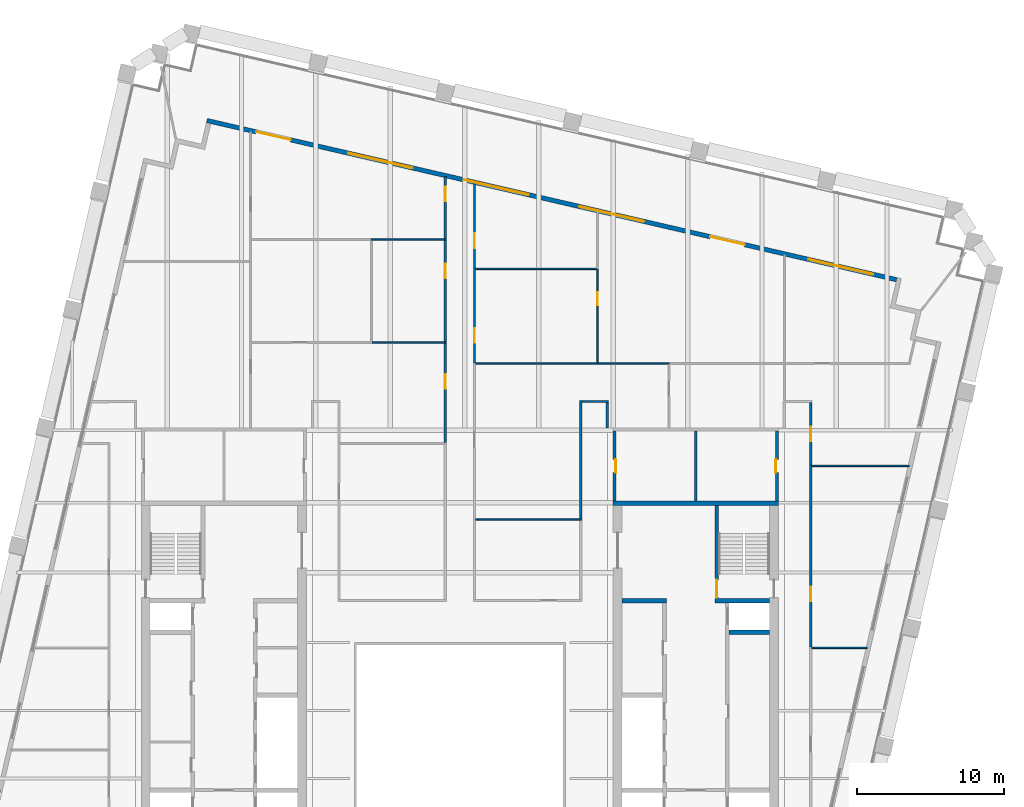
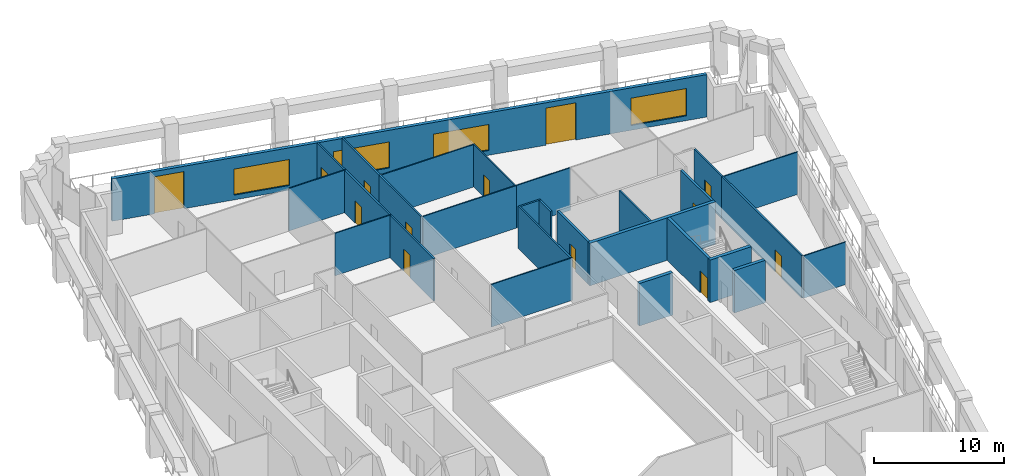
# One storey, part 7 of 10: 28 walls, 13 doors, 4 windows, 17 openings.
"""IFC4 building model written with IfcOpenShell, lengths in metres."""

from ifc_helpers import new_model, si_unit, direction, frame, frame_2d, origin, place, context, subcontext, project, spatial, rectangle, extrude, material, layer, layer_set, type_object, element, fill, save


model = new_model("IFC4")

# Units and contexts
model_context = context("Model", 3, precision=1e-05, world=origin(), true_north=direction((0.0, 1.0)))
body_context = subcontext(model_context, "Body", "Model", "MODEL_VIEW")
ifc_project = project(units=[si_unit("LENGTHUNIT", "METRE"), si_unit("AREAUNIT", "SQUARE_METRE"), si_unit("VOLUMEUNIT", "CUBIC_METRE"), si_unit("PLANEANGLEUNIT", "RADIAN"), si_unit("MASSUNIT", "GRAM", prefix="KILO")], contexts=[model_context])

# Site, building, storey
site_placement = place(None, origin())
site = spatial("IfcSite", under=ifc_project, at=site_placement, CompositionType="ELEMENT")
building_placement = place(site_placement, origin())
building = spatial("IfcBuilding", under=site, at=building_placement, Name="Ogive Exchange Tower", CompositionType="ELEMENT")
storey_placement = place(building_placement, frame((0.0, 0.0, 268.199951171875)))
storey = spatial("IfcBuildingStorey", under=building, at=storey_placement, Name="L58", CompositionType="ELEMENT", Elevation=268.199951171875)

# Walls
ifc_material_1 = material(Name="Gypsum board partition")
ifc_layer_1 = layer(ifc_material_1, 0.14990234375)
ifc_layer_set_1 = layer_set([ifc_layer_1], Name="Core room partition 150 gypsum")
wall_type_1 = type_object("IfcWallType", Name="Core room partition 150 gypsum", PredefinedType="PARTITIONING", material=ifc_layer_set_1)
wall_1_placement = place(storey_placement, frame((16.0, 25.75, 0.0), z_axis=(0.0, 0.0, 1.0), x_axis=(0.0, 1.0, 0.0)))
element("IfcWall", 1, at=wall_1_placement, inside=storey, type_object=wall_type_1, Name="E annex N column wall", PredefinedType="PARTITIONING", context=body_context, shape_type="SweptSolid", body=[
    extrude(rectangle(XDim=4.75, YDim=0.14990234375, at=frame_2d((2.375, 0.0))), origin(), (0.0, 0.0, 1.0), 4.0),
])
ifc_layer_2 = layer(ifc_material_1, 0.300048828125)
ifc_layer_set_2 = layer_set([ifc_layer_2], Name="Core room partition 300 gypsum")
wall_type_2 = type_object("IfcWallType", Name="Core room partition 300 gypsum", PredefinedType="PARTITIONING", material=ifc_layer_set_2)
wall_2_placement = place(storey_placement, frame((11.0, 19.0, 0.0), z_axis=(0.0, 0.0, 1.0), x_axis=(1.0, 0.0, 0.0)))
element("IfcWall", 2, at=wall_2_placement, inside=storey, type_object=wall_type_2, Name="E row B room end wall 7", PredefinedType="PARTITIONING", context=body_context, shape_type="SweptSolid", body=[
    extrude(rectangle(XDim=3.0, YDim=0.300048828125, at=frame_2d((1.5, 0.0))), origin(), (0.0, 0.0, 1.0), 4.0),
])

# Wall, opening, door
ifc_material_2 = material(Name="Fire partition EI 60 150")
ifc_layer_3 = layer(ifc_material_2, 0.14990234375)
ifc_layer_set_3 = layer_set([ifc_layer_3], Name="Fire partition EI 60 150")
wall_type_3 = type_object("IfcWallType", Name="Fire partition EI 60 150", PredefinedType="PARTITIONING", material=ifc_layer_set_3)
wall_3_placement = place(storey_placement, frame((-0.989990234375, 29.7099609375, 0.0), z_axis=(0.0, 0.0, 1.0), x_axis=(0.0, 1.0, 0.0)))
wall_3 = element("IfcWall", 3, at=wall_3_placement, inside=storey, type_object=wall_type_3, Name="L58-PWL-032", PredefinedType="PARTITIONING", context=body_context, shape_type="SweptSolid", body=[
    extrude(rectangle(XDim=6.739990234375, YDim=0.14990234375, at=frame_2d((3.3701171875, 0.0))), origin(), (0.0, 0.0, 1.0), 4.0),
])
opening_1_placement = place(wall_3_placement, frame((3.639892578125, 0.0, 0.0)))
opening_1 = element("IfcOpeningElement", 4, at=opening_1_placement, cuts=wall_3, Name="Opening L58-I16", PredefinedType="OPENING", context=body_context, shape_type="SweptSolid", body=[
    extrude(rectangle(XDim=1.0, YDim=2.10009765625, at=frame_2d((0.5, 1.050048828125))), frame((0.0, 0.0849609375, 0.0), z_axis=(0.0, -1.0, 0.0), x_axis=(1.0, 0.0, 0.0)), (0.0, 0.0, 1.0), 0.169921875),
])
ifc_material_3 = material(Name="Fire door FD 30S 1000 x 2100")
door_type_1 = type_object("IfcDoorType", Name="Fire door FD 30S 1000 x 2100", OperationType="NOTDEFINED", PredefinedType="DOOR", material=ifc_material_3)
door_1_placement = place(opening_1_placement, origin())
door_1 = element("IfcDoor", 5, at=door_1_placement, inside=storey, type_object=door_type_1, Name="L58-IDR-016", ObjectType="DT3", OperationType="SINGLE_SWING_LEFT", OverallHeight=2.10009765625, OverallWidth=1.0, PredefinedType="DOOR", context=body_context, shape_type="SweptSolid", body=[
    extrude(rectangle(XDim=1.0, YDim=2.10009765625, at=frame_2d((0.5, 1.050048828125))), frame((0.0, 0.02490234375, 0.0), z_axis=(0.0, -1.0, 0.0), x_axis=(1.0, 0.0, 0.0)), (0.0, 0.0, 1.0), 0.050048828125),
])
fill(opening_1, door_1)

wall_4_placement = place(storey_placement, frame((-0.989990234375, 36.550048828125, 0.0), z_axis=(0.0, 0.0, 1.0), x_axis=(0.0, 1.0, 0.0)))
wall_4 = element("IfcWall", 6, at=wall_4_placement, inside=storey, type_object=wall_type_3, Name="L58-PWL-033", PredefinedType="PARTITIONING", context=body_context, shape_type="SweptSolid", body=[
    extrude(rectangle(XDim=6.89990234375, YDim=0.14990234375, at=frame_2d((3.449951171875, 0.0))), origin(), (0.0, 0.0, 1.0), 4.0),
])
opening_2_placement = place(wall_4_placement, frame((4.300048828125, 0.0, 0.0)))
opening_2 = element("IfcOpeningElement", 7, at=opening_2_placement, cuts=wall_4, Name="Opening L58-I18", PredefinedType="OPENING", context=body_context, shape_type="SweptSolid", body=[
    extrude(rectangle(XDim=1.0, YDim=2.10009765625, at=frame_2d((0.5, 1.050048828125))), frame((0.0, 0.0849609375, 0.0), z_axis=(0.0, -1.0, 0.0), x_axis=(1.0, 0.0, 0.0)), (0.0, 0.0, 1.0), 0.169921875),
])
door_2_placement = place(opening_2_placement, origin())
door_2 = element("IfcDoor", 8, at=door_2_placement, inside=storey, type_object=door_type_1, Name="L58-IDR-018", ObjectType="DT3", OperationType="SINGLE_SWING_LEFT", OverallHeight=2.10009765625, OverallWidth=1.0, PredefinedType="DOOR", context=body_context, shape_type="SweptSolid", body=[
    extrude(rectangle(XDim=1.0, YDim=2.10009765625, at=frame_2d((0.5, 1.050048828125))), frame((0.0, 0.02490234375, 0.0), z_axis=(0.0, -1.0, 0.0), x_axis=(1.0, 0.0, 0.0)), (0.0, 0.0, 1.0), 0.050048828125),
])
fill(opening_2, door_2)

wall_5_placement = place(storey_placement, frame((-0.989990234375, 43.550048828125, 0.0), z_axis=(0.0, 0.0, 1.0), x_axis=(0.0, 1.0, 0.0)))
wall_5 = element("IfcWall", 9, at=wall_5_placement, inside=storey, type_object=wall_type_3, Name="L58-PWL-034", PredefinedType="PARTITIONING", context=body_context, shape_type="SweptSolid", body=[
    extrude(rectangle(XDim=4.202880859375, YDim=0.14990234375, at=frame_2d((2.1015625, 0.0))), origin(), (0.0, 0.0, 1.0), 4.0),
])
opening_3_placement = place(wall_5_placement, frame((2.530029296875, 0.0, 0.0)))
opening_3 = element("IfcOpeningElement", 10, at=opening_3_placement, cuts=wall_5, Name="Opening L58-I19", PredefinedType="OPENING", context=body_context, shape_type="SweptSolid", body=[
    extrude(rectangle(XDim=1.0, YDim=2.10009765625, at=frame_2d((0.5, 1.050048828125))), frame((0.0, 0.0849609375, 0.0), z_axis=(0.0, -1.0, 0.0), x_axis=(1.0, 0.0, 0.0)), (0.0, 0.0, 1.0), 0.169921875),
])
door_3_placement = place(opening_3_placement, origin())
door_3 = element("IfcDoor", 11, at=door_3_placement, inside=storey, type_object=door_type_1, Name="L58-IDR-019", ObjectType="DT3", OperationType="SINGLE_SWING_LEFT", OverallHeight=2.10009765625, OverallWidth=1.0, PredefinedType="DOOR", context=body_context, shape_type="SweptSolid", body=[
    extrude(rectangle(XDim=1.0, YDim=2.10009765625, at=frame_2d((0.5, 1.050048828125))), frame((0.0, 0.02490234375, 0.0), z_axis=(0.0, -1.0, 0.0), x_axis=(1.0, 0.0, 0.0)), (0.0, 0.0, 1.0), 0.050048828125),
])
fill(opening_3, door_3)

wall_6_placement = place(storey_placement, frame((0.989990234375, 41.550048828125, 0.0), z_axis=(0.0, 0.0, 1.0), x_axis=(0.0, -1.0, 0.0)))
wall_6 = element("IfcWall", 12, at=wall_6_placement, inside=storey, type_object=wall_type_3, Name="L58-PWL-040", PredefinedType="PARTITIONING", context=body_context, shape_type="SweptSolid", body=[
    extrude(rectangle(XDim=6.429931640625, YDim=0.14990234375, at=frame_2d((3.21484375, 0.0))), origin(), (0.0, 0.0, 1.0), 4.0),
])
opening_4_placement = place(wall_6_placement, frame((4.080078125, 0.0, 0.0)))
opening_4 = element("IfcOpeningElement", 13, at=opening_4_placement, cuts=wall_6, Name="Opening L58-I03", PredefinedType="OPENING", context=body_context, shape_type="SweptSolid", body=[
    extrude(rectangle(XDim=1.0, YDim=2.10009765625, at=frame_2d((0.5, 1.050048828125))), frame((0.0, 0.0849609375, 0.0), z_axis=(0.0, -1.0, 0.0), x_axis=(1.0, 0.0, 0.0)), (0.0, 0.0, 1.0), 0.169921875),
])
door_4_placement = place(opening_4_placement, origin())
door_4 = element("IfcDoor", 14, at=door_4_placement, inside=storey, type_object=door_type_1, Name="L58-IDR-003", ObjectType="DT3", OperationType="SINGLE_SWING_LEFT", OverallHeight=2.10009765625, OverallWidth=1.0, PredefinedType="DOOR", context=body_context, shape_type="SweptSolid", body=[
    extrude(rectangle(XDim=1.0, YDim=2.10009765625, at=frame_2d((0.5, 1.050048828125))), frame((0.0, 0.02490234375, 0.0), z_axis=(0.0, -1.0, 0.0), x_axis=(1.0, 0.0, 0.0)), (0.0, 0.0, 1.0), 0.050048828125),
])
fill(opening_4, door_4)

wall_7_placement = place(storey_placement, frame((0.989990234375, 47.2958984375, 0.0), z_axis=(0.0, 0.0, 1.0), x_axis=(0.0, -1.0, 0.0)))
wall_7 = element("IfcWall", 15, at=wall_7_placement, inside=storey, type_object=wall_type_3, Name="L58-PWL-041", PredefinedType="PARTITIONING", context=body_context, shape_type="SweptSolid", body=[
    extrude(rectangle(XDim=5.745849609375, YDim=0.14990234375, at=frame_2d((2.873046875, 0.0))), origin(), (0.0, 0.0, 1.0), 4.0),
])
opening_5_placement = place(wall_7_placement, frame((3.39599609375, 0.0, 0.0)))
opening_5 = element("IfcOpeningElement", 16, at=opening_5_placement, cuts=wall_7, Name="Opening L58-I02", PredefinedType="OPENING", context=body_context, shape_type="SweptSolid", body=[
    extrude(rectangle(XDim=1.0, YDim=2.10009765625, at=frame_2d((0.5, 1.050048828125))), frame((0.0, 0.0849609375, 0.0), z_axis=(0.0, -1.0, 0.0), x_axis=(1.0, 0.0, 0.0)), (0.0, 0.0, 1.0), 0.169921875),
])
door_5_placement = place(opening_5_placement, origin())
door_5 = element("IfcDoor", 17, at=door_5_placement, inside=storey, type_object=door_type_1, Name="L58-IDR-002", ObjectType="DT3", OperationType="SINGLE_SWING_LEFT", OverallHeight=2.10009765625, OverallWidth=1.0, PredefinedType="DOOR", context=body_context, shape_type="SweptSolid", body=[
    extrude(rectangle(XDim=1.0, YDim=2.10009765625, at=frame_2d((0.5, 1.050048828125))), frame((0.0, 0.02490234375, 0.0), z_axis=(0.0, -1.0, 0.0), x_axis=(1.0, 0.0, 0.0)), (0.0, 0.0, 1.0), 0.050048828125),
])
fill(opening_5, door_5)

# Walls
wall_8_placement = place(storey_placement, frame((8.199951171875, 24.550048828125, 0.0), z_axis=(0.0, 0.0, 1.0), x_axis=(0.0, 1.0, 0.0)))
element("IfcWall", 18, at=wall_8_placement, inside=storey, type_object=wall_type_3, Name="L58-PWL-043", PredefinedType="PARTITIONING", context=body_context, shape_type="SweptSolid", body=[
    extrude(rectangle(XDim=8.02490234375, YDim=0.14990234375, at=frame_2d((4.012451171875, 0.0))), origin(), (0.0, 0.0, 1.0), 4.0),
])
wall_9_placement = place(storey_placement, frame((8.27490234375, 32.5, 0.0), z_axis=(0.0, 0.0, 1.0), x_axis=(1.0, 0.0, 0.0)))
element("IfcWall", 19, at=wall_9_placement, inside=storey, type_object=wall_type_3, Name="L58-PWL-044", PredefinedType="PARTITIONING", context=body_context, shape_type="SweptSolid", body=[
    extrude(rectangle(XDim=1.800048828125, YDim=0.14990234375, at=frame_2d((0.89990234375, 0.0))), origin(), (0.0, 0.0, 1.0), 4.0),
])
wall_10_placement = place(storey_placement, frame((10.0, 32.425048828125, 0.0), z_axis=(0.0, 0.0, 1.0), x_axis=(0.0, -1.0, 0.0)))
element("IfcWall", 20, at=wall_10_placement, inside=storey, type_object=wall_type_3, Name="L58-PWL-053", PredefinedType="PARTITIONING", context=body_context, shape_type="SweptSolid", body=[
    extrude(rectangle(XDim=1.72509765625, YDim=0.14990234375, at=frame_2d((0.862548828125, 0.0))), origin(), (0.0, 0.0, 1.0), 4.0),
])

# Wall, opening, door
wall_11_placement = place(storey_placement, frame((23.800048828125, 28.18994140625, 0.0), z_axis=(0.0, 0.0, 1.0), x_axis=(0.0, -1.0, 0.0)))
wall_11 = element("IfcWall", 21, at=wall_11_placement, inside=storey, type_object=wall_type_3, Name="L58-PWL-068", PredefinedType="PARTITIONING", context=body_context, shape_type="SweptSolid", body=[
    extrude(rectangle(XDim=12.349853515625, YDim=0.14990234375, at=frame_2d((6.1748046875, 0.0))), origin(), (0.0, 0.0, 1.0), 4.0),
])
opening_6_placement = place(wall_11_placement, frame((8.25, 0.0, 0.0)))
opening_6 = element("IfcOpeningElement", 22, at=opening_6_placement, cuts=wall_11, Name="Opening L58-I11", PredefinedType="OPENING", context=body_context, shape_type="SweptSolid", body=[
    extrude(rectangle(XDim=1.0, YDim=2.10009765625, at=frame_2d((0.5, 1.050048828125))), frame((0.0, 0.0849609375, 0.0), z_axis=(0.0, -1.0, 0.0), x_axis=(1.0, 0.0, 0.0)), (0.0, 0.0, 1.0), 0.169921875),
])
door_6_placement = place(opening_6_placement, origin())
door_6 = element("IfcDoor", 23, at=door_6_placement, inside=storey, type_object=door_type_1, Name="L58-IDR-011", ObjectType="DT3", OperationType="SINGLE_SWING_LEFT", OverallHeight=2.10009765625, OverallWidth=1.0, PredefinedType="DOOR", context=body_context, shape_type="SweptSolid", body=[
    extrude(rectangle(XDim=1.0, YDim=2.10009765625, at=frame_2d((0.5, 1.050048828125))), frame((0.0, 0.02490234375, 0.0), z_axis=(0.0, -1.0, 0.0), x_axis=(1.0, 0.0, 0.0)), (0.0, 0.0, 1.0), 0.050048828125),
])
fill(opening_6, door_6)

wall_12_placement = place(storey_placement, frame((23.800048828125, 32.425048828125, 0.0), z_axis=(0.0, 0.0, 1.0), x_axis=(0.0, -1.0, 0.0)))
wall_12 = element("IfcWall", 24, at=wall_12_placement, inside=storey, type_object=wall_type_3, Name="L58-PWL-070", PredefinedType="PARTITIONING", context=body_context, shape_type="SweptSolid", body=[
    extrude(rectangle(XDim=4.235107421875, YDim=0.14990234375, at=frame_2d((2.11767578125, 0.0))), origin(), (0.0, 0.0, 1.0), 4.0),
])
opening_7_placement = place(wall_12_placement, frame((1.635009765625, 0.0, 0.0)))
opening_7 = element("IfcOpeningElement", 25, at=opening_7_placement, cuts=wall_12, Name="Opening L58-I12", PredefinedType="OPENING", context=body_context, shape_type="SweptSolid", body=[
    extrude(rectangle(XDim=1.0, YDim=2.10009765625, at=frame_2d((0.5, 1.050048828125))), frame((0.0, 0.0849609375, 0.0), z_axis=(0.0, -1.0, 0.0), x_axis=(1.0, 0.0, 0.0)), (0.0, 0.0, 1.0), 0.169921875),
])
door_7_placement = place(opening_7_placement, origin())
door_7 = element("IfcDoor", 26, at=door_7_placement, inside=storey, type_object=door_type_1, Name="L58-IDR-012", ObjectType="DT3", OperationType="SINGLE_SWING_LEFT", OverallHeight=2.10009765625, OverallWidth=1.0, PredefinedType="DOOR", context=body_context, shape_type="SweptSolid", body=[
    extrude(rectangle(XDim=1.0, YDim=2.10009765625, at=frame_2d((0.5, 1.050048828125))), frame((0.0, 0.02490234375, 0.0), z_axis=(0.0, -1.0, 0.0), x_axis=(1.0, 0.0, 0.0)), (0.0, 0.0, 1.0), 0.050048828125),
])
fill(opening_7, door_7)

# Wall, openings, doors, windows
ifc_material_4 = material(Name="Precast concrete C40/50", Category="concrete")
ifc_layer_4 = layer(ifc_material_4, 0.300048828125)
ifc_layer_set_4 = layer_set([ifc_layer_4], Name="Limestone-faced wall 300")
wall_type_4 = type_object("IfcWallType", Name="Limestone-faced wall 300", PredefinedType="STANDARD", material=ifc_layer_set_4)
wall_13_placement = place(storey_placement, frame((29.6162109375, 40.75830078125, 0.0), z_axis=(0.0, 0.0, 1.0), x_axis=(-0.974370532314, 0.224949029246, 0.0)))
wall_13 = element("IfcWall", 27, at=wall_13_placement, inside=storey, type_object=wall_type_4, Name="External wall N3", PredefinedType="STANDARD", context=body_context, shape_type="SweptSolid", body=[
    extrude(rectangle(XDim=48.000244140625, YDim=0.300048828125, at=frame_2d((24.0, 0.0))), origin(), (0.0, 0.0, 1.0), 4.0),
])
opening_8_placement = place(wall_13_placement, frame((1.625, 0.0, 0.449951171875)))
opening_8 = element("IfcOpeningElement", 28, at=opening_8_placement, cuts=wall_13, Name="Opening W1M", PredefinedType="OPENING", context=body_context, shape_type="SweptSolid", body=[
    extrude(rectangle(XDim=4.5, YDim=2.574951171875, at=frame_2d((2.25, 1.28759765625))), frame((0.0, 0.159912109375, 0.0), z_axis=(0.0, -1.0, 0.0), x_axis=(1.0, 0.0, 0.0)), (0.0, 0.0, 1.0), 0.320068359375),
])
opening_9_placement = place(wall_13_placement, frame((10.574951171875, 0.0, 0.0)))
opening_9 = element("IfcOpeningElement", 29, at=opening_9_placement, cuts=wall_13, Name="Opening D1", PredefinedType="OPENING", context=body_context, shape_type="SweptSolid", body=[
    extrude(rectangle(XDim=2.39990234375, YDim=3.5, at=frame_2d((1.199951171875, 1.75))), frame((0.0, 0.159912109375, 0.0), z_axis=(0.0, -1.0, 0.0), x_axis=(1.0, 0.0, 0.0)), (0.0, 0.0, 1.0), 0.320068359375),
])
opening_10_placement = place(wall_13_placement, frame((17.574951171875, 0.0, 0.449951171875)))
opening_10 = element("IfcOpeningElement", 30, at=opening_10_placement, cuts=wall_13, Name="Opening W1Q", PredefinedType="OPENING", context=body_context, shape_type="SweptSolid", body=[
    extrude(rectangle(XDim=4.5, YDim=2.449951171875, at=frame_2d((2.25, 1.22509765625))), frame((0.0, 0.159912109375, 0.0), z_axis=(0.0, -1.0, 0.0), x_axis=(1.0, 0.0, 0.0)), (0.0, 0.0, 1.0), 0.320068359375),
])
opening_11_placement = place(wall_13_placement, frame((25.625, 0.0, 0.449951171875)))
opening_11 = element("IfcOpeningElement", 31, at=opening_11_placement, cuts=wall_13, Name="Opening W1Q", PredefinedType="OPENING", context=body_context, shape_type="SweptSolid", body=[
    extrude(rectangle(XDim=4.5, YDim=2.449951171875, at=frame_2d((2.25, 1.22509765625))), frame((0.0, 0.159912109375, 0.0), z_axis=(0.0, -1.0, 0.0), x_axis=(1.0, 0.0, 0.0)), (0.0, 0.0, 1.0), 0.320068359375),
])
opening_12_placement = place(wall_13_placement, frame((33.675048828125, 0.0, 0.449951171875)))
opening_12 = element("IfcOpeningElement", 32, at=opening_12_placement, cuts=wall_13, Name="Opening W1Q", PredefinedType="OPENING", context=body_context, shape_type="SweptSolid", body=[
    extrude(rectangle(XDim=4.5, YDim=2.449951171875, at=frame_2d((2.25, 1.22509765625))), frame((0.0, 0.159912109375, 0.0), z_axis=(0.0, -1.0, 0.0), x_axis=(1.0, 0.0, 0.0)), (0.0, 0.0, 1.0), 0.320068359375),
])
opening_13_placement = place(wall_13_placement, frame((42.175048828125, 0.0, 0.0)))
opening_13 = element("IfcOpeningElement", 33, at=opening_13_placement, cuts=wall_13, Name="Opening D1", PredefinedType="OPENING", context=body_context, shape_type="SweptSolid", body=[
    extrude(rectangle(XDim=2.39990234375, YDim=3.5, at=frame_2d((1.199951171875, 1.75))), frame((0.0, 0.159912109375, 0.0), z_axis=(0.0, -1.0, 0.0), x_axis=(1.0, 0.0, 0.0)), (0.0, 0.0, 1.0), 0.320068359375),
])
ifc_material_5 = material(Name="Clear glass in bronze frame", Category="glass")
door_type_2 = type_object("IfcDoorType", Name="Sliding loggia door 2400 x 3500", OperationType="DOUBLE_DOOR_SLIDING", PredefinedType="DOOR", material=ifc_material_5)
door_8_placement = place(opening_9_placement, origin())
door_8 = element("IfcDoor", 34, at=door_8_placement, inside=storey, type_object=door_type_2, Name="Loggia door N01", OperationType="DOUBLE_DOOR_SLIDING", OverallHeight=3.5, OverallWidth=2.39990234375, PredefinedType="DOOR", context=body_context, shape_type="SweptSolid", body=[
    extrude(rectangle(XDim=2.39990234375, YDim=3.5, at=frame_2d((1.199951171875, 1.75))), frame((0.0, 0.02490234375, 0.0), z_axis=(0.0, -1.0, 0.0), x_axis=(1.0, 0.0, 0.0)), (0.0, 0.0, 1.0), 0.050048828125),
])
fill(opening_9, door_8)
door_9_placement = place(opening_13_placement, origin())
door_9 = element("IfcDoor", 35, at=door_9_placement, inside=storey, type_object=door_type_2, Name="Loggia door N05", OperationType="DOUBLE_DOOR_SLIDING", OverallHeight=3.5, OverallWidth=2.39990234375, PredefinedType="DOOR", context=body_context, shape_type="SweptSolid", body=[
    extrude(rectangle(XDim=2.39990234375, YDim=3.5, at=frame_2d((1.199951171875, 1.75))), frame((0.0, 0.02490234375, 0.0), z_axis=(0.0, -1.0, 0.0), x_axis=(1.0, 0.0, 0.0)), (0.0, 0.0, 1.0), 0.050048828125),
])
fill(opening_13, door_9)
window_type_1 = type_object("IfcWindowType", Name="Twin lancet window 4500 x 2450", PartitioningType="DOUBLE_PANEL_VERTICAL", PredefinedType="WINDOW", material=ifc_material_5)
window_1_placement = place(opening_10_placement, origin())
window_1 = element("IfcWindow", 36, at=window_1_placement, inside=storey, type_object=window_type_1, Name="Window N02", OverallHeight=2.449951171875, OverallWidth=4.5, PartitioningType="DOUBLE_PANEL_VERTICAL", PredefinedType="WINDOW", context=body_context, shape_type="SweptSolid", body=[
    extrude(rectangle(XDim=4.5, YDim=2.449951171875, at=frame_2d((2.25, 1.22509765625))), frame((0.0, 0.030029296875, 0.0), z_axis=(0.0, -1.0, 0.0), x_axis=(1.0, 0.0, 0.0)), (0.0, 0.0, 1.0), 0.06005859375),
])
fill(opening_10, window_1)
window_2_placement = place(opening_11_placement, origin())
window_2 = element("IfcWindow", 37, at=window_2_placement, inside=storey, type_object=window_type_1, Name="Window N03", OverallHeight=2.449951171875, OverallWidth=4.5, PartitioningType="DOUBLE_PANEL_VERTICAL", PredefinedType="WINDOW", context=body_context, shape_type="SweptSolid", body=[
    extrude(rectangle(XDim=4.5, YDim=2.449951171875, at=frame_2d((2.25, 1.22509765625))), frame((0.0, 0.030029296875, 0.0), z_axis=(0.0, -1.0, 0.0), x_axis=(1.0, 0.0, 0.0)), (0.0, 0.0, 1.0), 0.06005859375),
])
fill(opening_11, window_2)
window_3_placement = place(opening_12_placement, origin())
window_3 = element("IfcWindow", 38, at=window_3_placement, inside=storey, type_object=window_type_1, Name="Window N04", OverallHeight=2.449951171875, OverallWidth=4.5, PartitioningType="DOUBLE_PANEL_VERTICAL", PredefinedType="WINDOW", context=body_context, shape_type="SweptSolid", body=[
    extrude(rectangle(XDim=4.5, YDim=2.449951171875, at=frame_2d((2.25, 1.22509765625))), frame((0.0, 0.030029296875, 0.0), z_axis=(0.0, -1.0, 0.0), x_axis=(1.0, 0.0, 0.0)), (0.0, 0.0, 1.0), 0.06005859375),
])
fill(opening_12, window_3)
window_type_2 = type_object("IfcWindowType", Name="Twin lancet window 4500 x 2575", PartitioningType="DOUBLE_PANEL_VERTICAL", PredefinedType="WINDOW", material=ifc_material_5)
window_4_placement = place(opening_8_placement, origin())
window_4 = element("IfcWindow", 39, at=window_4_placement, inside=storey, type_object=window_type_2, Name="Window N00", OverallHeight=2.574951171875, OverallWidth=4.5, PartitioningType="DOUBLE_PANEL_VERTICAL", PredefinedType="WINDOW", context=body_context, shape_type="SweptSolid", body=[
    extrude(rectangle(XDim=4.5, YDim=2.574951171875, at=frame_2d((2.25, 1.28759765625))), frame((0.0, 0.030029296875, 0.0), z_axis=(0.0, -1.0, 0.0), x_axis=(1.0, 0.0, 0.0)), (0.0, 0.0, 1.0), 0.06005859375),
])
fill(opening_8, window_4)

# Walls
ifc_material_6 = material(Name="Partition 100 gypsum")
ifc_layer_5 = layer(ifc_material_6, 0.10009765625)
ifc_layer_set_5 = layer_set([ifc_layer_5], Name="Partition 100 gypsum")
wall_type_5 = type_object("IfcWallType", Name="Partition 100 gypsum", PredefinedType="PARTITIONING", material=ifc_layer_set_5)
wall_14_placement = place(storey_placement, frame((-5.949951171875, 36.5, 0.0), z_axis=(0.0, 0.0, 1.0), x_axis=(1.0, 0.0, 0.0)))
element("IfcWall", 40, at=wall_14_placement, inside=storey, type_object=wall_type_5, Name="L58-PWL-028", PredefinedType="PARTITIONING", context=body_context, shape_type="SweptSolid", body=[
    extrude(rectangle(XDim=5.034912109375, YDim=0.10009765625, at=frame_2d((2.517578125, 0.0))), origin(), (0.0, 0.0, 1.0), 4.0),
])
wall_15_placement = place(storey_placement, frame((-6.0, 43.5, 0.0), z_axis=(0.0, 0.0, 1.0), x_axis=(1.0, 0.0, 0.0)))
element("IfcWall", 41, at=wall_15_placement, inside=storey, type_object=wall_type_5, Name="L58-PWL-030", PredefinedType="PARTITIONING", context=body_context, shape_type="SweptSolid", body=[
    extrude(rectangle(XDim=5.0849609375, YDim=0.10009765625, at=frame_2d((2.54248046875, 0.0))), origin(), (0.0, 0.0, 1.0), 4.0),
])
wall_16_placement = place(storey_placement, frame((1.06494140625, 24.5, 0.0), z_axis=(0.0, 0.0, 1.0), x_axis=(1.0, 0.0, 0.0)))
element("IfcWall", 42, at=wall_16_placement, inside=storey, type_object=wall_type_5, Name="L58-PWL-038", PredefinedType="PARTITIONING", context=body_context, shape_type="SweptSolid", body=[
    extrude(rectangle(XDim=7.2099609375, YDim=0.10009765625, at=frame_2d((3.60498046875, 0.0))), origin(), (0.0, 0.0, 1.0), 4.0),
])
wall_17_placement = place(storey_placement, frame((9.389892578125, 35.070068359375, 0.0), z_axis=(0.0, 0.0, 1.0), x_axis=(-1.0, 0.0, 0.0)))
element("IfcWall", 43, at=wall_17_placement, inside=storey, type_object=wall_type_5, Name="L58-PWL-047", PredefinedType="PARTITIONING", context=body_context, shape_type="SweptSolid", body=[
    extrude(rectangle(XDim=8.324951171875, YDim=0.10009765625, at=frame_2d((4.16259765625, 0.0))), origin(), (0.0, 0.0, 1.0), 4.0),
])

# Wall, opening, door
wall_18_placement = place(storey_placement, frame((9.340087890625, 35.1201171875, 0.0), z_axis=(0.0, 0.0, 1.0), x_axis=(0.0, 1.0, 0.0)))
wall_18 = element("IfcWall", 44, at=wall_18_placement, inside=storey, type_object=wall_type_5, Name="L58-PWL-048", PredefinedType="PARTITIONING", context=body_context, shape_type="SweptSolid", body=[
    extrude(rectangle(XDim=6.429931640625, YDim=0.10009765625, at=frame_2d((3.21484375, 0.0))), origin(), (0.0, 0.0, 1.0), 4.0),
])
opening_14_placement = place(wall_18_placement, frame((3.89990234375, 0.0, 0.0)))
opening_14 = element("IfcOpeningElement", 45, at=opening_14_placement, cuts=wall_18, Name="Opening L58-I01", PredefinedType="OPENING", context=body_context, shape_type="SweptSolid", body=[
    extrude(rectangle(XDim=0.89990234375, YDim=2.10009765625, at=frame_2d((0.449951171875, 1.050048828125))), frame((0.0, 0.06005859375, 0.0), z_axis=(0.0, -1.0, 0.0), x_axis=(1.0, 0.0, 0.0)), (0.0, 0.0, 1.0), 0.1201171875),
])
ifc_material_7 = material(Name="Door 900 x 2100")
door_type_3 = type_object("IfcDoorType", Name="Door 900 x 2100", OperationType="NOTDEFINED", PredefinedType="DOOR", material=ifc_material_7)
door_10_placement = place(opening_14_placement, origin())
door_10 = element("IfcDoor", 46, at=door_10_placement, inside=storey, type_object=door_type_3, Name="L58-IDR-001", ObjectType="DT1", OperationType="SINGLE_SWING_LEFT", OverallHeight=2.10009765625, OverallWidth=0.89990234375, PredefinedType="DOOR", context=body_context, shape_type="SweptSolid", body=[
    extrude(rectangle(XDim=0.89990234375, YDim=2.10009765625, at=frame_2d((0.449951171875, 1.050048828125))), frame((0.0, 0.02490234375, 0.0), z_axis=(0.0, -1.0, 0.0), x_axis=(1.0, 0.0, 0.0)), (0.0, 0.0, 1.0), 0.050048828125),
])
fill(opening_14, door_10)

# Walls
wall_19_placement = place(storey_placement, frame((9.2900390625, 41.5, 0.0), z_axis=(0.0, 0.0, 1.0), x_axis=(-1.0, 0.0, 0.0)))
element("IfcWall", 47, at=wall_19_placement, inside=storey, type_object=wall_type_5, Name="L58-PWL-049", PredefinedType="PARTITIONING", context=body_context, shape_type="SweptSolid", body=[
    extrude(rectangle(XDim=8.22509765625, YDim=0.10009765625, at=frame_2d((4.112548828125, 0.0))), origin(), (0.0, 0.0, 1.0), 4.0),
])
wall_20_placement = place(storey_placement, frame((14.18994140625, 35.070068359375, 0.0), z_axis=(0.0, 0.0, 1.0), x_axis=(-1.0, 0.0, 0.0)))
element("IfcWall", 48, at=wall_20_placement, inside=storey, type_object=wall_type_5, Name="L58-PWL-056", PredefinedType="PARTITIONING", context=body_context, shape_type="SweptSolid", body=[
    extrude(rectangle(XDim=4.800048828125, YDim=0.10009765625, at=frame_2d((2.39990234375, 0.0))), origin(), (0.0, 0.0, 1.0), 4.0),
])
wall_21_placement = place(storey_placement, frame((23.875, 15.7900390625, 0.0), z_axis=(0.0, 0.0, 1.0), x_axis=(1.0, 0.0, 0.0)))
element("IfcWall", 49, at=wall_21_placement, inside=storey, type_object=wall_type_5, Name="L58-PWL-067", PredefinedType="PARTITIONING", context=body_context, shape_type="SweptSolid", body=[
    extrude(rectangle(XDim=3.75390625, YDim=0.10009765625, at=frame_2d((1.876953125, 0.0))), origin(), (0.0, 0.0, 1.0), 4.0),
])
wall_22_placement = place(storey_placement, frame((23.875, 28.139892578125, 0.0), z_axis=(0.0, 0.0, 1.0), x_axis=(1.0, 0.0, 0.0)))
element("IfcWall", 50, at=wall_22_placement, inside=storey, type_object=wall_type_5, Name="L58-PWL-069", PredefinedType="PARTITIONING", context=body_context, shape_type="SweptSolid", body=[
    extrude(rectangle(XDim=6.60498046875, YDim=0.10009765625, at=frame_2d((3.302490234375, 0.0))), origin(), (0.0, 0.0, 1.0), 4.0),
])

# Wall, opening, door
ifc_material_8 = material(Name="Concrete C70/85", Category="concrete")
ifc_layer_6 = layer(ifc_material_8, 0.199951171875)
ifc_layer_set_6 = layer_set([ifc_layer_6], Name="RC core wall 200 C70/85")
wall_type_6 = type_object("IfcWallType", Name="RC core wall 200 C70/85", PredefinedType="SHEAR", material=ifc_layer_set_6)
wall_23_placement = place(storey_placement, frame((21.5, 25.75, 0.0), z_axis=(0.0, 0.0, 1.0), x_axis=(0.0, 1.0, 0.0)))
wall_23 = element("IfcWall", 51, at=wall_23_placement, inside=storey, type_object=wall_type_6, Name="E annex N outer wall", PredefinedType="SHEAR", context=body_context, shape_type="SweptSolid", body=[
    extrude(rectangle(XDim=4.75, YDim=0.199951171875, at=frame_2d((2.375, 0.0))), origin(), (0.0, 0.0, 1.0), 4.0),
])
opening_15_placement = place(wall_23_placement, frame((1.925048828125, 0.0, 0.0)))
opening_15 = element("IfcOpeningElement", 52, at=opening_15_placement, cuts=wall_23, Name="Opening L58-C37", PredefinedType="OPENING", context=body_context, shape_type="SweptSolid", body=[
    extrude(rectangle(XDim=0.89990234375, YDim=2.10009765625, at=frame_2d((0.449951171875, 1.050048828125))), frame((0.0, 0.10986328125, 0.0), z_axis=(0.0, -1.0, 0.0), x_axis=(1.0, 0.0, 0.0)), (0.0, 0.0, 1.0), 0.219970703125),
])
ifc_material_9 = material(Name="Steel fire door", Category="steel")
door_type_4 = type_object("IfcDoorType", Name="Riser door FD60 900 x 2100", OperationType="NOTDEFINED", PredefinedType="DOOR", material=ifc_material_9)
door_11_placement = place(opening_15_placement, frame((0.89990234375, 0.14990234375, 0.0), z_axis=(0.0, 0.0, 1.0), x_axis=(-1.0, 0.0, 0.0)))
door_11 = element("IfcDoor", 53, at=door_11_placement, inside=storey, type_object=door_type_4, Name="Riser door", ObjectType="CD2", OperationType="SINGLE_SWING_RIGHT", OverallHeight=2.10009765625, OverallWidth=0.89990234375, PredefinedType="DOOR", context=body_context, shape_type="SweptSolid", body=[
    extrude(rectangle(XDim=0.89990234375, YDim=2.10009765625, at=frame_2d((0.449951171875, 1.050048828125))), frame((0.0, 0.10009765625, 0.0), z_axis=(0.0, -1.0, 0.0), x_axis=(1.0, 0.0, 0.0)), (0.0, 0.0, 1.0), 0.050048828125),
])
fill(opening_15, door_11)

wall_24_placement = place(storey_placement, frame((10.5, 25.75, 0.0), z_axis=(0.0, 0.0, 1.0), x_axis=(0.0, 1.0, 0.0)))
wall_24 = element("IfcWall", 54, at=wall_24_placement, inside=storey, type_object=wall_type_6, Name="E annex N inner wall", PredefinedType="SHEAR", context=body_context, shape_type="SweptSolid", body=[
    extrude(rectangle(XDim=4.75, YDim=0.199951171875, at=frame_2d((2.375, 0.0))), origin(), (0.0, 0.0, 1.0), 4.0),
])
opening_16_placement = place(wall_24_placement, frame((1.925048828125, 0.0, 0.0)))
opening_16 = element("IfcOpeningElement", 55, at=opening_16_placement, cuts=wall_24, Name="Opening L58-C38", PredefinedType="OPENING", context=body_context, shape_type="SweptSolid", body=[
    extrude(rectangle(XDim=0.89990234375, YDim=2.10009765625, at=frame_2d((0.449951171875, 1.050048828125))), frame((0.0, 0.10986328125, 0.0), z_axis=(0.0, -1.0, 0.0), x_axis=(1.0, 0.0, 0.0)), (0.0, 0.0, 1.0), 0.219970703125),
])
ifc_material_10 = material(Name="Timber fire door", Category="wood")
door_type_5 = type_object("IfcDoorType", Name="Core room door FD30S 900 x 2100", OperationType="NOTDEFINED", PredefinedType="DOOR", material=ifc_material_10)
door_12_placement = place(opening_16_placement, origin())
door_12 = element("IfcDoor", 56, at=door_12_placement, inside=storey, type_object=door_type_5, Name="Core room door", ObjectType="CD6", OperationType="SINGLE_SWING_RIGHT", OverallHeight=2.10009765625, OverallWidth=0.89990234375, PredefinedType="DOOR", context=body_context, shape_type="SweptSolid", body=[
    extrude(rectangle(XDim=0.89990234375, YDim=2.10009765625, at=frame_2d((0.449951171875, 1.050048828125))), frame((0.0, -0.0498046875, 0.0), z_axis=(0.0, -1.0, 0.0), x_axis=(1.0, 0.0, 0.0)), (0.0, 0.0, 1.0), 0.050048828125),
])
fill(opening_16, door_12)

ifc_layer_7 = layer(ifc_material_8, 0.25)
ifc_layer_set_7 = layer_set([ifc_layer_7], Name="RC core wall 250 C70/85")
wall_type_7 = type_object("IfcWallType", Name="RC core wall 250 C70/85", PredefinedType="SHEAR", material=ifc_layer_set_7)
wall_25_placement = place(storey_placement, frame((17.425048828125, 19.14990234375, 0.0), z_axis=(0.0, 0.0, 1.0), x_axis=(0.0, 1.0, 0.0)))
wall_25 = element("IfcWall", 57, at=wall_25_placement, inside=storey, type_object=wall_type_7, Name="E stair N front wall", PredefinedType="SHEAR", context=body_context, shape_type="SweptSolid", body=[
    extrude(rectangle(XDim=6.300048828125, YDim=0.25, at=frame_2d((3.14990234375, 0.0))), origin(), (0.0, 0.0, 1.0), 4.0),
])
opening_17_placement = place(wall_25_placement, frame((0.050048828125, 0.0, 0.0)))
opening_17 = element("IfcOpeningElement", 58, at=opening_17_placement, cuts=wall_25, Name="Opening L58-C33", PredefinedType="OPENING", context=body_context, shape_type="SweptSolid", body=[
    extrude(rectangle(XDim=1.199951171875, YDim=2.10009765625, at=frame_2d((0.60009765625, 1.050048828125))), frame((0.0, 0.135009765625, 0.0), z_axis=(0.0, -1.0, 0.0), x_axis=(1.0, 0.0, 0.0)), (0.0, 0.0, 1.0), 0.27001953125),
])
door_type_6 = type_object("IfcDoorType", Name="Stair door FD90 1200 x 2100", OperationType="NOTDEFINED", PredefinedType="DOOR", material=ifc_material_9)
door_13_placement = place(opening_17_placement, frame((1.199951171875, 0.0, 0.0), z_axis=(0.0, 0.0, 1.0), x_axis=(-1.0, 0.0, 0.0)))
door_13 = element("IfcDoor", 59, at=door_13_placement, inside=storey, type_object=door_type_6, Name="Stair door", ObjectType="CD5", OperationType="SINGLE_SWING_LEFT", OverallHeight=2.10009765625, OverallWidth=1.199951171875, PredefinedType="DOOR", context=body_context, shape_type="SweptSolid", body=[
    extrude(rectangle(XDim=1.199951171875, YDim=2.10009765625, at=frame_2d((0.60009765625, 1.050048828125))), frame((0.0, 0.02490234375, 0.0), z_axis=(0.0, -1.0, 0.0), x_axis=(1.0, 0.0, 0.0)), (0.0, 0.0, 1.0), 0.050048828125),
])
fill(opening_17, door_13)

# Walls
ifc_layer_8 = layer(ifc_material_8, 0.300048828125)
ifc_layer_set_8 = layer_set([ifc_layer_8], Name="RC core wall 300 C70/85")
wall_type_8 = type_object("IfcWallType", Name="RC core wall 300 C70/85", PredefinedType="SHEAR", material=ifc_layer_set_8)
wall_26_placement = place(storey_placement, frame((10.39990234375, 25.60009765625, 0.0), z_axis=(0.0, 0.0, 1.0), x_axis=(1.0, 0.0, 0.0)))
element("IfcWall", 60, at=wall_26_placement, inside=storey, type_object=wall_type_8, Name="E north end wall", PredefinedType="SHEAR", context=body_context, shape_type="SweptSolid", body=[
    extrude(rectangle(XDim=11.2001953125, YDim=0.300048828125, at=frame_2d((5.60009765625, 0.0))), origin(), (0.0, 0.0, 1.0), 4.0),
])
wall_27_placement = place(storey_placement, frame((17.300048828125, 19.0, 0.0), z_axis=(0.0, 0.0, 1.0), x_axis=(1.0, 0.0, 0.0)))
element("IfcWall", 61, at=wall_27_placement, inside=storey, type_object=wall_type_8, Name="E stair N south wall", PredefinedType="SHEAR", context=body_context, shape_type="SweptSolid", body=[
    extrude(rectangle(XDim=3.699951171875, YDim=0.300048828125, at=frame_2d((1.85009765625, 0.0))), origin(), (0.0, 0.0, 1.0), 4.0),
])
wall_28_placement = place(storey_placement, frame((18.25, 16.857177734375, 0.0), z_axis=(0.0, 0.0, 1.0), x_axis=(1.0, 0.0, 0.0)))
element("IfcWall", 62, at=wall_28_placement, inside=storey, type_object=wall_type_8, Name="E row A divider 6", PredefinedType="SHEAR", context=body_context, shape_type="SweptSolid", body=[
    extrude(rectangle(XDim=2.75, YDim=0.300048828125, at=frame_2d((1.375, 0.0))), origin(), (0.0, 0.0, 1.0), 4.0),
])

save(model, "model.ifc")
